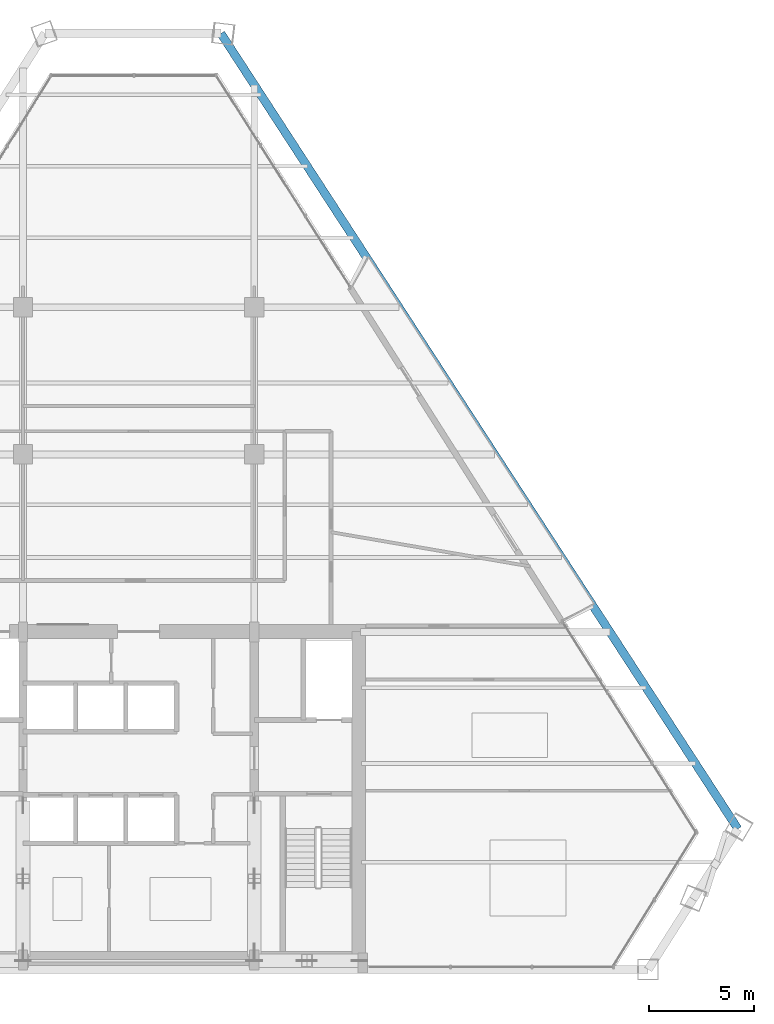
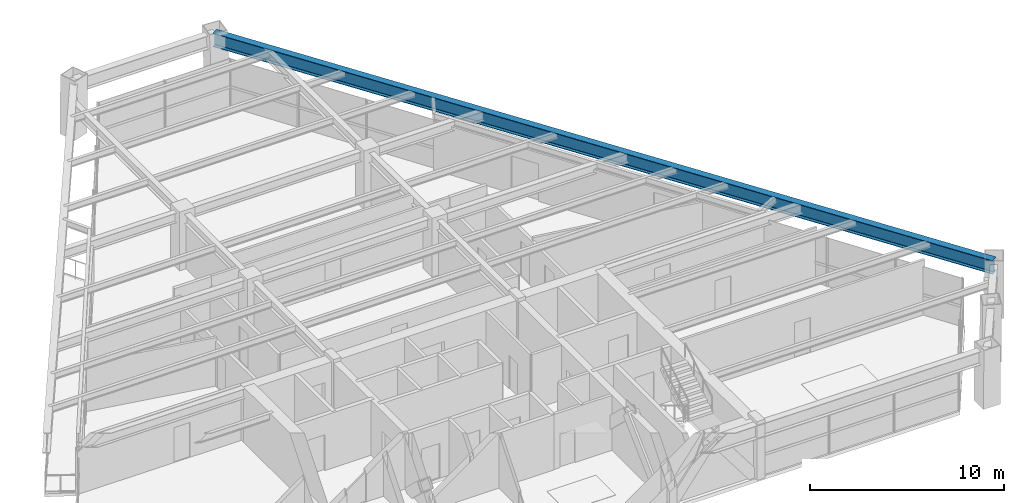
# One storey, part 7 of 15: 1 beam.
"""IFC4 building model written with IfcOpenShell, lengths in metres."""

from ifc_helpers import new_model, si_unit, direction, frame, origin, origin_2d, place, context, subcontext, project, spatial, i_section, extrude, source, transform, mapped, material, material_profile, profile_set, type_object, element, save


model = new_model("IFC4")

# Units and contexts
model_context = context("Model", 3, precision=1e-05, world=origin(), true_north=direction((0.0, 1.0)))
body_context = subcontext(model_context, "Body", "Model", "MODEL_VIEW")
ifc_project = project(units=[si_unit("LENGTHUNIT", "METRE"), si_unit("AREAUNIT", "SQUARE_METRE"), si_unit("VOLUMEUNIT", "CUBIC_METRE"), si_unit("PLANEANGLEUNIT", "RADIAN"), si_unit("MASSUNIT", "GRAM", prefix="KILO")], contexts=[model_context])

# Site, building, storey
site_placement = place(None, origin())
site = spatial("IfcSite", under=ifc_project, at=site_placement, CompositionType="ELEMENT")
building_placement = place(site_placement, origin())
building = spatial("IfcBuilding", under=site, at=building_placement, Name="Varnakhor Terracotta Tower", CompositionType="ELEMENT")
storey_placement = place(building_placement, frame((0.0, 0.0, 182.10009765625)))
storey = spatial("IfcBuildingStorey", under=building, at=storey_placement, Name="L46", CompositionType="ELEMENT", Elevation=182.10009765625)

# Beam
ifc_material = material(Name="Steel S355", Category="steel")
ifc_material_profile = material_profile(ifc_material, i_section(OverallWidth=0.39990234375, OverallDepth=0.85498046875, WebThickness=0.01806640625, FlangeThickness=0.029052734375, FilletRadius=0.01806640625, at=origin_2d()), Name="W33X201")
ifc_profile_set = profile_set([ifc_material_profile], Name="Steel S355")
beam_type = type_object("IfcBeamType", Name="BM-W33X201", PredefinedType="BEAM", material=ifc_profile_set)
shared_shape = source(origin(), body_context, "Body", "SweptSolid", [
    extrude(i_section(OverallWidth=0.39990234375, OverallDepth=0.85498046875, WebThickness=0.01806640625, FlangeThickness=0.029052734375, FilletRadius=0.01806640625, at=origin_2d()), origin(), (0.0, 0.0, 1.0), 45.121337890625),
])
beam_placement = place(storey_placement, frame((28.501220703125, 6.686279296875, 3.04248046875), z_axis=(-0.544924066382, 0.838485397534, 0.0), x_axis=(-0.838485397534, -0.544924066382, 0.0)))
element("IfcBeam", 1, at=beam_placement, inside=storey, type_object=beam_type, Name="L46 Perimeter Spandrel 4", PredefinedType="BEAM", context=body_context, shape_type="MappedRepresentation", body=[
    mapped(shared_shape, transform((0.0, 0.0, 0.0), scale=1.0)),
])

save(model, "model.ifc")
